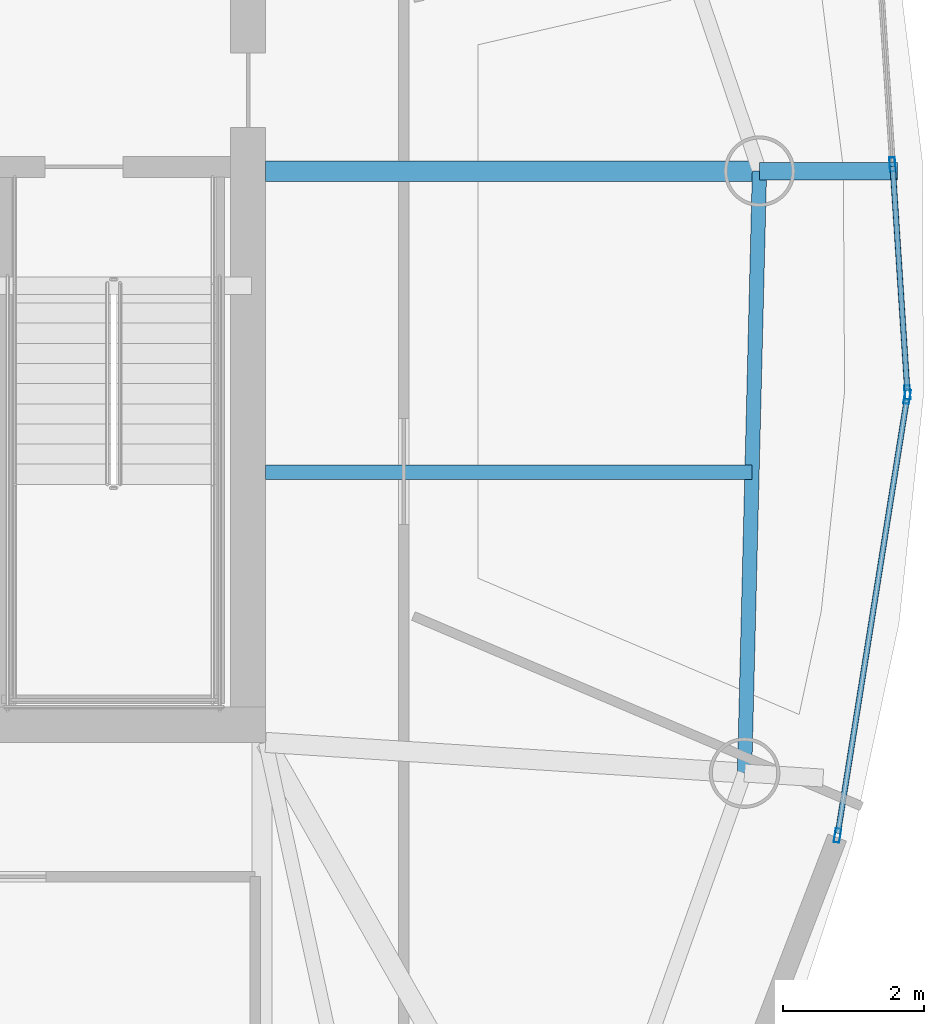
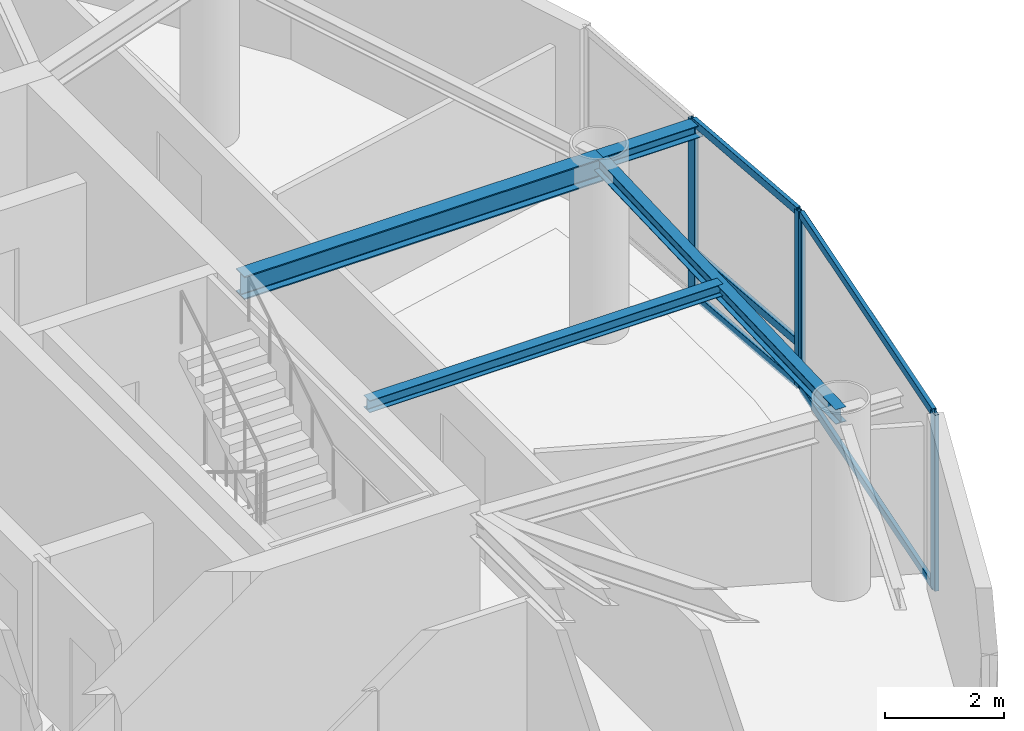
# One storey, part 6 of 18: 9 members, 4 beams, 2 elements without a shape of their own.
"""IFC4 building model written with IfcOpenShell, lengths in metres."""

from ifc_helpers import new_model, si_unit, direction, frame, origin, origin_2d, place, context, subcontext, project, spatial, hollow_rectangle, i_section, extrude, material, layer, layer_set, material_profile, profile_set, type_object, element, aggregate, save


model = new_model("IFC4")

# Units and contexts
model_context = context("Model", 3, precision=1e-05, world=origin(), true_north=direction((0.0, 1.0)))
body_context = subcontext(model_context, "Body", "Model", "MODEL_VIEW")
ifc_project = project(units=[si_unit("LENGTHUNIT", "METRE"), si_unit("AREAUNIT", "SQUARE_METRE"), si_unit("VOLUMEUNIT", "CUBIC_METRE"), si_unit("PLANEANGLEUNIT", "RADIAN"), si_unit("MASSUNIT", "GRAM", prefix="KILO")], contexts=[model_context])

# Site, building, storey
site_placement = place(None, origin())
site = spatial("IfcSite", under=ifc_project, at=site_placement, CompositionType="ELEMENT")
building_placement = place(site_placement, origin())
building = spatial("IfcBuilding", under=site, at=building_placement, Name="Bramvorn Convention Spire", CompositionType="ELEMENT")
storey_placement = place(building_placement, frame((0.0, 0.0, 288.25)))
storey = spatial("IfcBuildingStorey", under=building, at=storey_placement, Name="L73", CompositionType="ELEMENT", Elevation=288.25)

# Beams
ifc_material_1 = material(Name="Steel CSA G40.21 Grade 350 (350W)", Category="steel")
ifc_material_profile_1 = material_profile(ifc_material_1, i_section(OverallWidth=0.201904296875, OverallDepth=0.2470703125, WebThickness=0.00732421875, FlangeThickness=0.010986328125, FilletRadius=0.011962890625, at=origin_2d()))
ifc_profile_set_1 = profile_set([ifc_material_profile_1], Name="Steel CSA G40.21 Grade 350 (350W) - W250X49")
beam_type_1 = type_object("IfcBeamType", Name="BM-W250X49", PredefinedType="JOIST", material=ifc_profile_set_1)
beam_1_placement = place(storey_placement, frame((49.25, 22.373046875, 3.50146484375), z_axis=(1.0, 0.0, 0.0), x_axis=(0.0, 1.0, 0.0)))
element("IfcBeam", 1, at=beam_1_placement, inside=storey, type_object=beam_type_1, Name="L73 composite floor joist 03", PredefinedType="JOIST", context=body_context, shape_type="SweptSolid", body=[
    extrude(i_section(OverallWidth=0.201904296875, OverallDepth=0.2470703125, WebThickness=0.00732421875, FlangeThickness=0.010986328125, FilletRadius=0.011962890625, at=origin_2d()), origin(), (0.0, 0.0, 1.0), 6.879150390625),
])
ifc_material_profile_2 = material_profile(ifc_material_1, i_section(OverallWidth=0.25390625, OverallDepth=0.2529296875, WebThickness=0.008544921875, FlangeThickness=0.01416015625, FilletRadius=0.011962890625, at=origin_2d()))
ifc_profile_set_2 = profile_set([ifc_material_profile_2], Name="Steel CSA G40.21 Grade 350 (350W) - W250X73")
beam_type_2 = type_object("IfcBeamType", Name="BM-W250X73", PredefinedType="BEAM", material=ifc_profile_set_2)
beam_2_placement = place(storey_placement, frame((56.234619140625, 26.62939453125, 3.49853515625), z_axis=(1.0, 0.0, 0.0), x_axis=(0.0, 1.0, 0.0)))
element("IfcBeam", 2, at=beam_2_placement, inside=storey, type_object=beam_type_2, Name="L73 slab-edge cantilever tip beam MC04", PredefinedType="BEAM", context=body_context, shape_type="SweptSolid", body=[
    extrude(i_section(OverallWidth=0.25390625, OverallDepth=0.2529296875, WebThickness=0.008544921875, FlangeThickness=0.01416015625, FilletRadius=0.011962890625, at=origin_2d()), origin(), (0.0, 0.0, 1.0), 1.951171875),
])
ifc_material_profile_3 = material_profile(ifc_material_1, i_section(OverallWidth=0.202880859375, OverallDepth=0.302978515625, WebThickness=0.007568359375, FlangeThickness=0.01318359375, FilletRadius=0.013916015625, at=origin_2d()))
ifc_profile_set_3 = profile_set([ifc_material_profile_3], Name="Steel CSA G40.21 Grade 350 (350W) - W310X60")
beam_type_3 = type_object("IfcBeamType", Name="BM-W310X60", PredefinedType="JOIST", material=ifc_profile_set_3)
beam_3_placement = place(storey_placement, frame((56.023681640625, 18.116455078125, 3.473388671875), z_axis=(0.024770853371, 0.999693155335, 0.0), x_axis=(-0.999693155335, 0.024770853371, 0.0)))
element("IfcBeam", 3, at=beam_3_placement, inside=storey, type_object=beam_type_3, Name="L73 mega-column ring beam 03", PredefinedType="JOIST", context=body_context, shape_type="SweptSolid", body=[
    extrude(i_section(OverallWidth=0.202880859375, OverallDepth=0.302978515625, WebThickness=0.007568359375, FlangeThickness=0.01318359375, FilletRadius=0.013916015625, at=origin_2d()), origin(), (0.0, 0.0, 1.0), 8.515625),
])
ifc_material_profile_4 = material_profile(ifc_material_1, i_section(OverallWidth=0.283935546875, OverallDepth=0.47607421875, WebThickness=0.014892578125, FlangeThickness=0.02392578125, FilletRadius=0.01806640625, at=origin_2d()))
ifc_profile_set_4 = profile_set([ifc_material_profile_4], Name="Steel CSA G40.21 Grade 350 (350W) - W460X158")
beam_type_4 = type_object("IfcBeamType", Name="BM-W460X158", PredefinedType="SPANDREL", material=ifc_profile_set_4)
beam_4_placement = place(storey_placement, frame((49.25, 26.62939453125, 3.386962890625), z_axis=(1.0, 0.0, 0.0), x_axis=(0.0, 1.0, 0.0)))
element("IfcBeam", 4, at=beam_4_placement, inside=storey, type_object=beam_type_4, Name="L73 radial floor girder MC04", PredefinedType="SPANDREL", context=body_context, shape_type="SweptSolid", body=[
    extrude(i_section(OverallWidth=0.283935546875, OverallDepth=0.47607421875, WebThickness=0.014892578125, FlangeThickness=0.02392578125, FilletRadius=0.01806640625, at=origin_2d()), origin(), (0.0, 0.0, 1.0), 6.984619140625),
])

# Curtain wall, members
ifc_material_2 = material(Name="Anodised Bronze Unitised Curtain Wall", Category="aluminium")
ifc_layer = layer(ifc_material_2, 0.179931640625)
ifc_layer_set = layer_set([ifc_layer], Name="Anodised Bronze Unitised Curtain Wall - CW-OFF-FRIT")
curtain_wall_type = type_object("IfcCurtainWallType", Name="CW-OFF-FRIT", PredefinedType="USERDEFINED", material=ifc_layer_set)
curtain_wall_1_placement = place(storey_placement, origin())
curtain_wall_1 = element("IfcCurtainWall", 5, at=curtain_wall_1_placement, inside=storey, type_object=curtain_wall_type, Name="L73 fritted glass curtain wall 04", ObjectType="UNITISED CURTAIN WALL", PredefinedType="USERDEFINED")
ifc_material_3 = material(Name="Anodised Bronze Aluminium 6063-T6", Category="aluminium")
ifc_material_profile_5 = material_profile(ifc_material_3, hollow_rectangle(XDim=0.080078125, YDim=0.199951171875, WallThickness=0.00390625, InnerFilletRadius=0.0009765625, OuterFilletRadius=0.00390625, at=origin_2d()))
ifc_profile_set_5 = profile_set([ifc_material_profile_5], Name="Anodised Bronze Aluminium 6063-T6 - CWM80X200")
member_type_1 = type_object("IfcMemberType", Name="CW-MUL-180", PredefinedType="MULLION", material=ifc_profile_set_5)
member_1_placement = place(storey_placement, frame((58.324951171875, 23.44091796875, 0.0), z_axis=(0.0, 0.0, 1.0), x_axis=(0.987609022374, -0.156934441487, 0.0)))
member_1 = element("IfcMember", 6, at=member_1_placement, type_object=member_type_1, Name="CW3 mullion 1", PredefinedType="MULLION", context=body_context, shape_type="SweptSolid", body=[
    extrude(hollow_rectangle(XDim=0.080078125, YDim=0.199951171875, WallThickness=0.00390625, InnerFilletRadius=0.0009765625, OuterFilletRadius=0.00390625, at=origin_2d()), origin(), (0.0, 0.0, 1.0), 3.625),
])
member_2_placement = place(storey_placement, frame((57.338623046875, 17.233642578125, 0.0), z_axis=(0.0, 0.0, 1.0), x_axis=(0.987609022374, -0.156934441487, 0.0)))
member_2 = element("IfcMember", 7, at=member_2_placement, type_object=member_type_1, Name="CW3 mullion 2", PredefinedType="MULLION", context=body_context, shape_type="SweptSolid", body=[
    extrude(hollow_rectangle(XDim=0.080078125, YDim=0.199951171875, WallThickness=0.00390625, InnerFilletRadius=0.0009765625, OuterFilletRadius=0.00390625, at=origin_2d()), origin(), (0.0, 0.0, 1.0), 3.625),
])

curtain_wall_2_placement = place(storey_placement, origin())
curtain_wall_2 = element("IfcCurtainWall", 8, at=curtain_wall_2_placement, inside=storey, type_object=curtain_wall_type, Name="L73 fritted glass curtain wall 05", ObjectType="UNITISED CURTAIN WALL", PredefinedType="USERDEFINED")
member_3_placement = place(storey_placement, frame((58.11669921875, 26.726806640625, 0.0), z_axis=(0.0, 0.0, 1.0), x_axis=(0.997868234771, 0.065260907399, 0.0)))
member_3 = element("IfcMember", 9, at=member_3_placement, type_object=member_type_1, Name="CW3 mullion 2", PredefinedType="MULLION", context=body_context, shape_type="SweptSolid", body=[
    extrude(hollow_rectangle(XDim=0.080078125, YDim=0.199951171875, WallThickness=0.00390625, InnerFilletRadius=0.0009765625, OuterFilletRadius=0.00390625, at=origin_2d()), origin(), (0.0, 0.0, 1.0), 3.625),
])
member_4_placement = place(storey_placement, frame((58.32763671875, 23.50048828125, 0.0), z_axis=(0.0, 0.0, 1.0), x_axis=(0.997868234771, 0.065260907399, 0.0)))
member_4 = element("IfcMember", 10, at=member_4_placement, type_object=member_type_1, Name="CW3 mullion 3", PredefinedType="MULLION", context=body_context, shape_type="SweptSolid", body=[
    extrude(hollow_rectangle(XDim=0.080078125, YDim=0.199951171875, WallThickness=0.00390625, InnerFilletRadius=0.0009765625, OuterFilletRadius=0.00390625, at=origin_2d()), origin(), (0.0, 0.0, 1.0), 3.625),
])

# Member
ifc_material_profile_6 = material_profile(ifc_material_3, hollow_rectangle(XDim=0.080078125, YDim=0.159912109375, WallThickness=0.00390625, InnerFilletRadius=0.0009765625, OuterFilletRadius=0.00390625, at=origin_2d()))
ifc_profile_set_6 = profile_set([ifc_material_profile_6], Name="Anodised Bronze Aluminium 6063-T6 - CWT80X160")
member_type_2 = type_object("IfcMemberType", Name="CW-TRN-150", PredefinedType="USERDEFINED", material=ifc_profile_set_6)
member_5_placement = place(storey_placement, frame((58.320068359375, 23.411376953125, 0.030029296875), z_axis=(-0.156909020341, -0.987613061546, 0.0), x_axis=(0.987613061546, -0.156909020341, 0.0)))
member_5 = element("IfcMember", 11, at=member_5_placement, type_object=member_type_2, Name="CW3 transom 1.1", ObjectType="TRANSOM", PredefinedType="USERDEFINED", context=body_context, shape_type="SweptSolid", body=[
    extrude(hollow_rectangle(XDim=0.080078125, YDim=0.159912109375, WallThickness=0.00390625, InnerFilletRadius=0.0009765625, OuterFilletRadius=0.00390625, at=origin_2d()), origin(), (0.0, 0.0, 1.0), 6.225341796875),
])

member_6_placement = place(storey_placement, frame((58.320068359375, 23.411376953125, 3.594970703125), z_axis=(-0.156909020341, -0.987613061546, 0.0), x_axis=(0.987613061546, -0.156909020341, 0.0)))
member_6 = element("IfcMember", 12, at=member_6_placement, type_object=member_type_2, Name="CW3 transom 1.2", ObjectType="TRANSOM", PredefinedType="USERDEFINED", context=body_context, shape_type="SweptSolid", body=[
    extrude(hollow_rectangle(XDim=0.080078125, YDim=0.159912109375, WallThickness=0.00390625, InnerFilletRadius=0.0009765625, OuterFilletRadius=0.00390625, at=origin_2d()), origin(), (0.0, 0.0, 1.0), 6.225341796875),
])

aggregate(curtain_wall_1, [member_1, member_2, member_5, member_6])

member_7_placement = place(storey_placement, frame((58.11865234375, 26.69677734375, 0.030029296875), z_axis=(0.065247360192, -0.997869120671, 0.0), x_axis=(0.997869120671, 0.065247360192, 0.0)))
member_7 = element("IfcMember", 13, at=member_7_placement, type_object=member_type_2, Name="CW3 transom 2.1", ObjectType="TRANSOM", PredefinedType="USERDEFINED", context=body_context, shape_type="SweptSolid", body=[
    extrude(hollow_rectangle(XDim=0.080078125, YDim=0.159912109375, WallThickness=0.00390625, InnerFilletRadius=0.0009765625, OuterFilletRadius=0.00390625, at=origin_2d()), origin(), (0.0, 0.0, 1.0), 3.173095703125),
])

member_8_placement = place(storey_placement, frame((58.11865234375, 26.69677734375, 0.89990234375), z_axis=(0.065247360192, -0.997869120671, 0.0), x_axis=(0.997869120671, 0.065247360192, 0.0)))
member_8 = element("IfcMember", 14, at=member_8_placement, type_object=member_type_2, Name="CW3 transom 2.2", ObjectType="TRANSOM", PredefinedType="USERDEFINED", context=body_context, shape_type="SweptSolid", body=[
    extrude(hollow_rectangle(XDim=0.080078125, YDim=0.159912109375, WallThickness=0.00390625, InnerFilletRadius=0.0009765625, OuterFilletRadius=0.00390625, at=origin_2d()), origin(), (0.0, 0.0, 1.0), 3.173095703125),
])

member_9_placement = place(storey_placement, frame((58.11865234375, 26.69677734375, 3.594970703125), z_axis=(0.065247360192, -0.997869120671, 0.0), x_axis=(0.997869120671, 0.065247360192, 0.0)))
member_9 = element("IfcMember", 15, at=member_9_placement, type_object=member_type_2, Name="CW3 transom 2.3", ObjectType="TRANSOM", PredefinedType="USERDEFINED", context=body_context, shape_type="SweptSolid", body=[
    extrude(hollow_rectangle(XDim=0.080078125, YDim=0.159912109375, WallThickness=0.00390625, InnerFilletRadius=0.0009765625, OuterFilletRadius=0.00390625, at=origin_2d()), origin(), (0.0, 0.0, 1.0), 3.173095703125),
])

aggregate(curtain_wall_2, [member_3, member_4, member_7, member_8, member_9])

save(model, "model.ifc")
